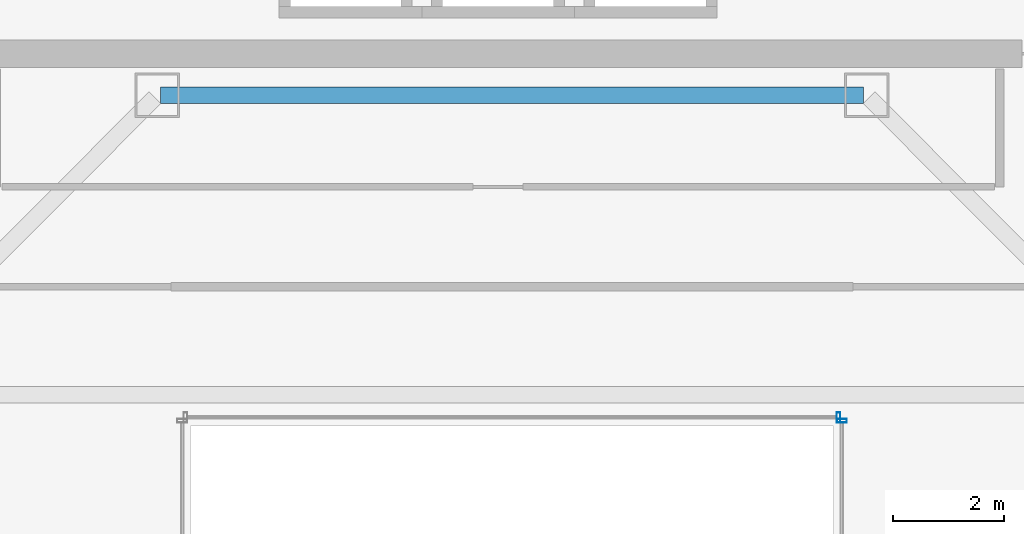
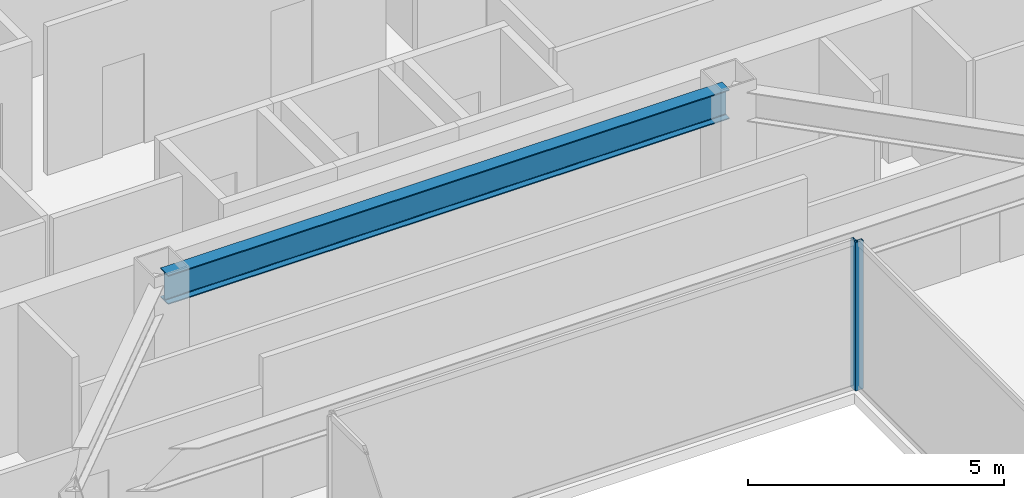
# One storey, part 15 of 35: 2 members, 1 beam, 2 elements without a shape of their own.
"""IFC4 building model written with IfcOpenShell, lengths in metres."""

from ifc_helpers import new_model, si_unit, direction, frame, origin, origin_2d, place, context, subcontext, project, spatial, hollow_rectangle, i_section, extrude, material, material_profile, profile_set, type_object, element, aggregate, save


model = new_model("IFC4")

# Units and contexts
model_context = context("Model", 3, precision=1e-05, world=origin(), true_north=direction((0.0, 1.0)))
body_context = subcontext(model_context, "Body", "Model", "MODEL_VIEW")
ifc_project = project(units=[si_unit("LENGTHUNIT", "METRE"), si_unit("AREAUNIT", "SQUARE_METRE"), si_unit("VOLUMEUNIT", "CUBIC_METRE"), si_unit("PLANEANGLEUNIT", "RADIAN"), si_unit("MASSUNIT", "GRAM", prefix="KILO")], contexts=[model_context])

# Site, building, storey
site_placement = place(None, origin())
site = spatial("IfcSite", under=ifc_project, at=site_placement, CompositionType="ELEMENT")
building_placement = place(site_placement, origin())
building = spatial("IfcBuilding", under=site, at=building_placement, Name="Saevonmaru Cultural Tower", CompositionType="ELEMENT")
storey_placement = place(building_placement, frame((0.0, 0.0, 213.199951171875)))
storey = spatial("IfcBuildingStorey", under=building, at=storey_placement, Name="L49", CompositionType="ELEMENT", Elevation=213.199951171875)

# Beam
ifc_material_1 = material(Name="Steel SM355", Category="steel")
ifc_material_profile_1 = material_profile(ifc_material_1, i_section(OverallWidth=0.300048828125, OverallDepth=0.699951171875, WebThickness=0.012939453125, FlangeThickness=0.02392578125, FilletRadius=0.02587890625, at=origin_2d()), Name="H-700x300x13x24")
ifc_profile_set_1 = profile_set([ifc_material_profile_1], Name="Steel SM355")
beam_type = type_object("IfcBeamType", Name="BM-G-H700", PredefinedType="BEAM", material=ifc_profile_set_1)
beam_placement = place(storey_placement, frame((23.659912109375, 42.39990234375, 3.199951171875), z_axis=(1.0, 0.0, 0.0), x_axis=(0.0, 1.0, 0.0)))
element("IfcBeam", 1, at=beam_placement, inside=storey, type_object=beam_type, Name="L49 Core South Girder 3", PredefinedType="BEAM", context=body_context, shape_type="SweptSolid", body=[
    extrude(i_section(OverallWidth=0.300048828125, OverallDepth=0.699951171875, WebThickness=0.012939453125, FlangeThickness=0.02392578125, FilletRadius=0.02587890625, at=origin_2d()), origin(), (0.0, 0.0, 1.0), 12.68017578125),
])

# Curtain wall, member
ifc_material_2 = material(Name="Satin Bronze Anodised Aluminium", Category="aluminium")
curtain_wall_type = type_object("IfcCurtainWallType", Name="CW-ATR-GLZ", PredefinedType="NOTDEFINED", material=ifc_material_2)
curtain_wall_1_placement = place(storey_placement, origin())
curtain_wall_1 = element("IfcCurtainWall", 2, at=curtain_wall_1_placement, inside=storey, type_object=curtain_wall_type, Name="L49 Vertical Atrium Glazed Smoke Screen 2", PredefinedType="NOTDEFINED")
ifc_material_profile_2 = material_profile(ifc_material_2, hollow_rectangle(XDim=0.06494140625, YDim=0.179931640625, WallThickness=0.00390625, at=origin_2d()), Name="ALU-MULL-180x65x4")
ifc_profile_set_2 = profile_set([ifc_material_profile_2], Name="Satin Bronze Anodised Aluminium")
member_type = type_object("IfcMemberType", Name="ML-CW-INT-180x65", PredefinedType="MULLION", material=ifc_profile_set_2)
member_1_placement = place(storey_placement, frame((35.949951171875, 36.530029296875, 0.0), z_axis=(0.0, 0.0, 1.0), x_axis=(0.0, 1.0, 0.0)))
member_1 = element("IfcMember", 3, at=member_1_placement, type_object=member_type, Name="CW-ATR-L49-2 mullion 2", PredefinedType="MULLION", context=body_context, shape_type="SweptSolid", body=[
    extrude(hollow_rectangle(XDim=0.06494140625, YDim=0.179931640625, WallThickness=0.00390625, at=origin_2d()), origin(), (0.0, 0.0, 1.0), 3.550048828125),
])
aggregate(curtain_wall_1, [member_1])

curtain_wall_2_placement = place(storey_placement, origin())
curtain_wall_2 = element("IfcCurtainWall", 4, at=curtain_wall_2_placement, inside=storey, type_object=curtain_wall_type, Name="L49 Vertical Atrium Glazed Smoke Screen 3", PredefinedType="NOTDEFINED")
member_2_placement = place(storey_placement, frame((35.889892578125, 36.590087890625, 0.0), z_axis=(0.0, 0.0, 1.0), x_axis=(-1.0, 0.0, 0.0)))
member_2 = element("IfcMember", 5, at=member_2_placement, type_object=member_type, Name="CW-ATR-L49-3 mullion 1", PredefinedType="MULLION", context=body_context, shape_type="SweptSolid", body=[
    extrude(hollow_rectangle(XDim=0.06494140625, YDim=0.179931640625, WallThickness=0.00390625, at=origin_2d()), origin(), (0.0, 0.0, 1.0), 3.550048828125),
])
aggregate(curtain_wall_2, [member_2])

save(model, "model.ifc")
